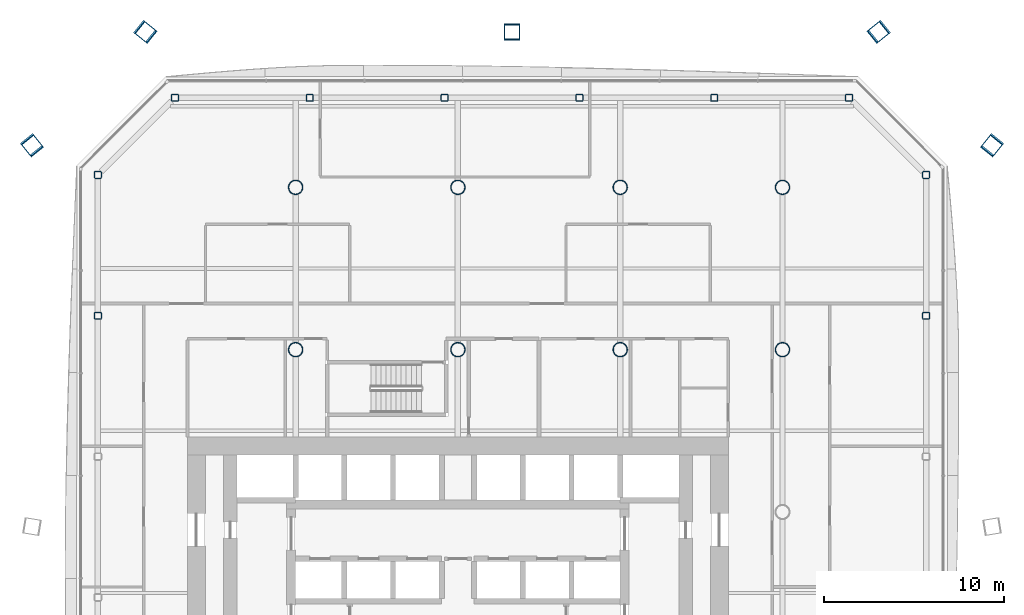
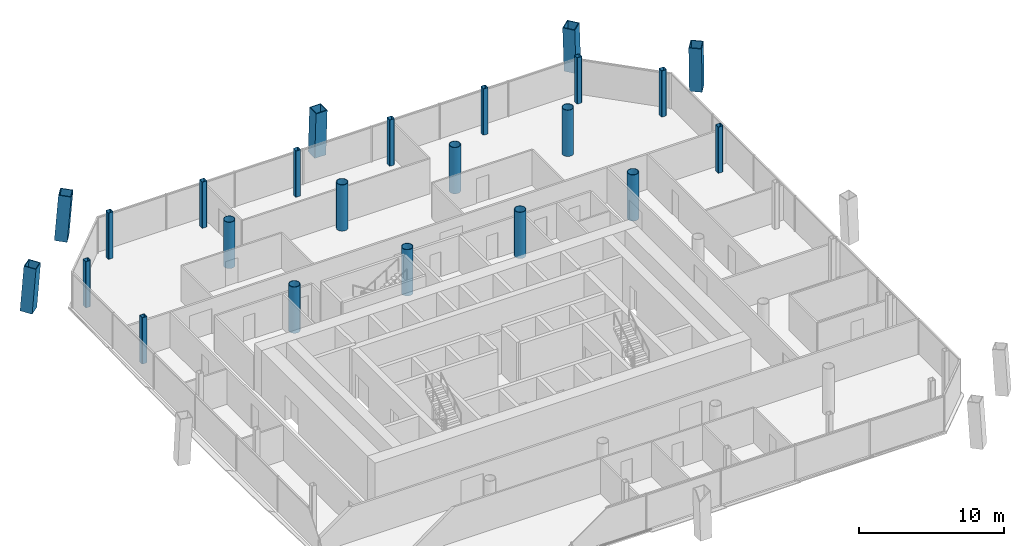
# One storey, part 2 of 19: 23 columns.
"""IFC4 building model written with IfcOpenShell, lengths in metres."""

from ifc_helpers import new_model, si_unit, direction, frame, origin, origin_2d, place, context, subcontext, project, spatial, hollow_rectangle, hollow_circle, extrude, material, material_profile, profile_set, type_object, element, save


model = new_model("IFC4")

# Units and contexts
model_context = context("Model", 3, precision=1e-05, world=origin(), true_north=direction((0.0, 1.0)))
body_context = subcontext(model_context, "Body", "Model", "MODEL_VIEW")
ifc_project = project(units=[si_unit("LENGTHUNIT", "METRE"), si_unit("AREAUNIT", "SQUARE_METRE"), si_unit("VOLUMEUNIT", "CUBIC_METRE"), si_unit("PLANEANGLEUNIT", "RADIAN"), si_unit("MASSUNIT", "GRAM", prefix="KILO")], contexts=[model_context])

# Site, building, storey
site_placement = place(None, origin())
site = spatial("IfcSite", under=ifc_project, at=site_placement, CompositionType="ELEMENT")
building_placement = place(site_placement, origin())
building = spatial("IfcBuilding", under=site, at=building_placement, Name="Tskaro Facet Tower", CompositionType="ELEMENT")
storey_placement = place(building_placement, frame((0.0, 0.0, 105.0)))
storey = spatial("IfcBuildingStorey", under=building, at=storey_placement, Name="L25", CompositionType="ELEMENT", Elevation=105.0)

# Columns
ifc_material_1 = material(Name="Steel S460M", Category="steel")
ifc_material_profile_1 = material_profile(ifc_material_1, hollow_rectangle(XDim=0.89990234375, YDim=0.89990234375, WallThickness=0.054931640625, at=origin_2d()), Name="BOX 900x900x55")
ifc_profile_set_1 = profile_set([ifc_material_profile_1], Name="Steel S460M")
column_type_1 = type_object("IfcColumnType", Name="BOX 900x900x55 mega column", PredefinedType="COLUMN", material=ifc_profile_set_1)
for number, where, z_axis, x_axis, name in (
    (1, (29.64990234375, 20.367919921875, 0.0), (-0.046736890306, -0.057994219771, 0.997222308995), (0.778627143656, -0.627486869315, 0.0), "BOX 900x900x55 MC06/2"),
    (2, (23.367919921875, 26.64990234375, 0.0), (-0.057994219771, -0.046736890306, 0.997222308995), (0.627486869315, -0.778627143656, 0.0), "BOX 900x900x55 MC07/2"),
):
    element("IfcColumn", number, at=place(storey_placement, frame(where, z_axis=z_axis, x_axis=x_axis)), inside=storey, type_object=column_type_1, Name=name, PredefinedType="COLUMN", context=body_context, shape_type="SweptSolid", body=[
        extrude(hollow_rectangle(XDim=0.89990234375, YDim=0.89990234375, WallThickness=0.054931640625, at=origin_2d()), origin(), (0.0, 0.0, 1.0), 3.8603515625),
    ])
column_placement = place(storey_placement, frame((3.0, 26.64990234375, 0.0), z_axis=(0.0, -0.046855048133, 0.9989016991), x_axis=(1.0, 0.0, 0.0)))
element("IfcColumn", 3, at=column_placement, inside=storey, type_object=column_type_1, Name="BOX 900x900x55 MC08/2", PredefinedType="COLUMN", context=body_context, shape_type="SweptSolid", body=[
    extrude(hollow_rectangle(XDim=0.89990234375, YDim=0.89990234375, WallThickness=0.054931640625, at=origin_2d()), origin(), (0.0, 0.0, 1.0), 3.871337890625),
])
for number, where, z_axis, x_axis, name in (
    (4, (-17.367919921875, 26.64990234375, 0.0), (0.057994219771, -0.046736890306, 0.997222308995), (0.627486869315, 0.778627143656, 0.0), "BOX 900x900x55 MC09/2"),
    (5, (-23.64990234375, 20.367919921875, 0.0), (0.046736890306, -0.057994219771, 0.997222308995), (0.778627143656, 0.627486869315, 0.0), "BOX 900x900x55 MC10/2"),
):
    element("IfcColumn", number, at=place(storey_placement, frame(where, z_axis=z_axis, x_axis=x_axis)), inside=storey, type_object=column_type_1, Name=name, PredefinedType="COLUMN", context=body_context, shape_type="SweptSolid", body=[
        extrude(hollow_rectangle(XDim=0.89990234375, YDim=0.89990234375, WallThickness=0.054931640625, at=origin_2d()), origin(), (0.0, 0.0, 1.0), 3.8603515625),
    ])
ifc_material_2 = material(Name="Steel S355J2H", Category="steel")
ifc_material_profile_2 = material_profile(ifc_material_2, hollow_circle(Radius=0.406494140625, WallThickness=0.035888671875, at=origin_2d()), Name="CHS 812.8x36")
ifc_profile_set_2 = profile_set([ifc_material_profile_2], Name="Steel S355J2H")
column_type_2 = type_object("IfcColumnType", Name="CHS 812.8x36 interior column", PredefinedType="COLUMN", material=ifc_profile_set_2)
for number, where, z_axis, x_axis, name in (
    (6, (-9.0, 9.0, 0.0), (0.0, 0.0, 1.0), (1.0, 0.0, 0.0), "CHS 812.8x36 C3E/2"),
    (7, (-9.0, 18.0, 0.0), (0.0, 0.0, 1.0), (1.0, 0.0, 0.0), "CHS 812.8x36 C3F/2"),
    (8, (0.0, 9.0, 0.0), (0.0, 0.0, 1.0), (1.0, 0.0, 0.0), "CHS 812.8x36 C4E/2"),
    (9, (0.0, 18.0, 0.0), (0.0, 0.0, 1.0), (1.0, 0.0, 0.0), "CHS 812.8x36 C4F/2"),
    (10, (9.0, 9.0, 0.0), (0.0, 0.0, 1.0), (1.0, 0.0, 0.0), "CHS 812.8x36 C5E/2"),
    (11, (9.0, 18.0, 0.0), (0.0, 0.0, 1.0), (1.0, 0.0, 0.0), "CHS 812.8x36 C5F/2"),
    (12, (18.0, 9.0, 0.0), (0.0, 0.0, 1.0), (1.0, 0.0, 0.0), "CHS 812.8x36 C6E/2"),
    (13, (18.0, 18.0, 0.0), (0.0, 0.0, 1.0), (1.0, 0.0, 0.0), "CHS 812.8x36 C6F/2"),
):
    element("IfcColumn", number, at=place(storey_placement, frame(where, z_axis=z_axis, x_axis=x_axis)), inside=storey, type_object=column_type_2, Name=name, PredefinedType="COLUMN", context=body_context, shape_type="SweptSolid", body=[
        extrude(hollow_circle(Radius=0.406494140625, WallThickness=0.035888671875, at=origin_2d()), origin(), (0.0, 0.0, 1.0), 3.89990234375),
    ])
ifc_material_profile_3 = material_profile(ifc_material_2, hollow_rectangle(XDim=0.39990234375, YDim=0.39990234375, WallThickness=0.02490234375, InnerFilletRadius=0.03759765625, OuterFilletRadius=0.0625, at=origin_2d()), Name="SHS 400x400x25")
ifc_profile_set_3 = profile_set([ifc_material_profile_3], Name="Steel S355J2H")
column_type_3 = type_object("IfcColumnType", Name="SHS 400x400x25 ring column", PredefinedType="COLUMN", material=ifc_profile_set_3)
for number, where, z_axis, x_axis, name in (
    (14, (25.965087890625, 10.87890625, 0.0), (0.0, 0.0, 1.0), (1.0, 0.0, 0.0), "SHS 400x400x25 RE-5/2"),
    (15, (25.965087890625, 18.68994140625, 0.0), (0.0, 0.0, 1.0), (1.0, 0.0, 0.0), "SHS 400x400x25 RNE-1/2"),
    (16, (21.68994140625, 22.965087890625, 0.0), (0.0, 0.0, 1.0), (1.0, 0.0, 0.0), "SHS 400x400x25 RN-1/2"),
    (17, (14.214111328125, 22.965087890625, 0.0), (0.0, 0.0, 1.0), (1.0, 0.0, 0.0), "SHS 400x400x25 RN-2/2"),
    (18, (6.738037109375, 22.965087890625, 0.0), (0.0, 0.0, 1.0), (1.0, 0.0, 0.0), "SHS 400x400x25 RN-3/2"),
    (19, (-0.738037109375, 22.965087890625, 0.0), (0.0, 0.0, 1.0), (1.0, 0.0, 0.0), "SHS 400x400x25 RN-4/2"),
    (20, (-8.214111328125, 22.965087890625, 0.0), (0.0, 0.0, 1.0), (1.0, 0.0, 0.0), "SHS 400x400x25 RN-5/2"),
    (21, (-15.68994140625, 22.965087890625, 0.0), (0.0, 0.0, 1.0), (1.0, 0.0, 0.0), "SHS 400x400x25 RNW-1/2"),
    (22, (-19.965087890625, 18.68994140625, 0.0), (0.0, 0.0, 1.0), (1.0, 0.0, 0.0), "SHS 400x400x25 RW-1/2"),
    (23, (-19.965087890625, 10.87890625, 0.0), (0.0, 0.0, 1.0), (1.0, 0.0, 0.0), "SHS 400x400x25 RW-2/2"),
):
    element("IfcColumn", number, at=place(storey_placement, frame(where, z_axis=z_axis, x_axis=x_axis)), inside=storey, type_object=column_type_3, Name=name, PredefinedType="COLUMN", context=body_context, shape_type="SweptSolid", body=[
        extrude(hollow_rectangle(XDim=0.39990234375, YDim=0.39990234375, WallThickness=0.02490234375, InnerFilletRadius=0.03759765625, OuterFilletRadius=0.0625, at=origin_2d()), origin(), (0.0, 0.0, 1.0), 3.89990234375),
    ])

save(model, "model.ifc")
